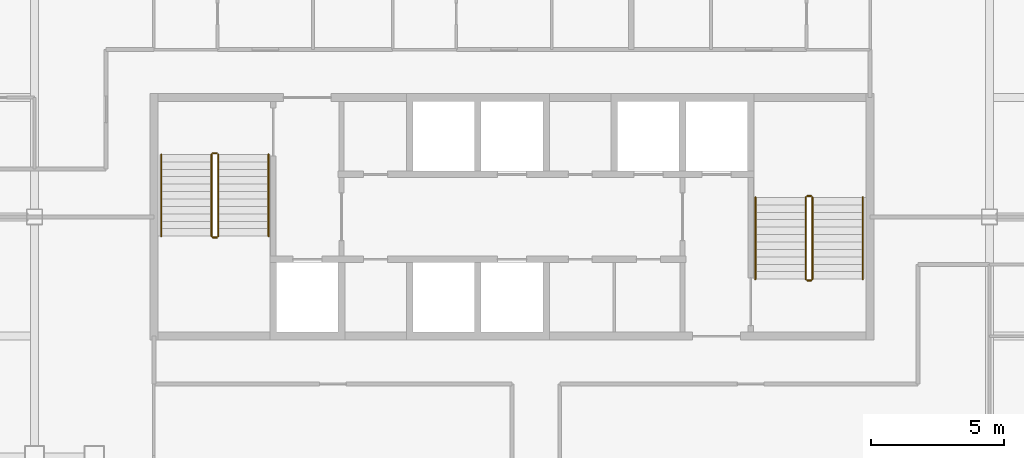
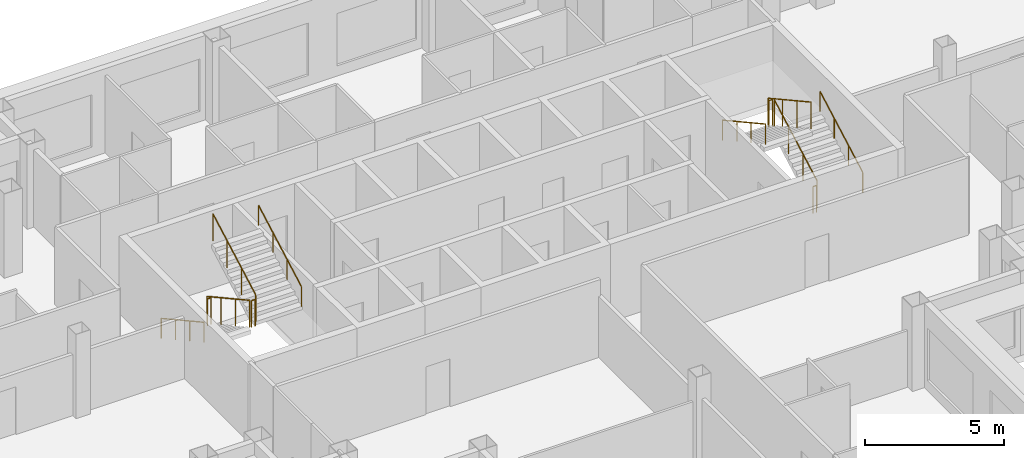
# One storey, part 13 of 13: 12 railings.
"""IFC4 building model written with IfcOpenShell, lengths in metres."""

from ifc_helpers import new_model, si_unit, direction, frame, origin, origin_2d, place, context, subcontext, project, spatial, circle, extrude, material, type_object, element, save


model = new_model("IFC4")

# Units and contexts
model_context = context("Model", 3, precision=1e-05, world=origin(), true_north=direction((0.0, 1.0)))
body_context = subcontext(model_context, "Body", "Model", "MODEL_VIEW")
ifc_project = project(units=[si_unit("LENGTHUNIT", "METRE"), si_unit("AREAUNIT", "SQUARE_METRE"), si_unit("VOLUMEUNIT", "CUBIC_METRE"), si_unit("PLANEANGLEUNIT", "RADIAN"), si_unit("MASSUNIT", "GRAM", prefix="KILO")], contexts=[model_context])

# Site, building, storey
site_placement = place(None, origin())
site = spatial("IfcSite", under=ifc_project, at=site_placement, CompositionType="ELEMENT")
building_placement = place(site_placement, origin())
building = spatial("IfcBuilding", under=site, at=building_placement, Name="Caravel Reach Hotel and Residences", CompositionType="ELEMENT")
storey_placement = place(building_placement, frame((0.0, 0.0, 180.199951171875)))
storey = spatial("IfcBuildingStorey", under=building, at=storey_placement, Name="L45", CompositionType="ELEMENT", Elevation=180.199951171875)

# Railings
ifc_material_1 = material(Name="Steel balustrade with glass infill", Category="steel")
railing_type_1 = type_object("IfcRailingType", Name="Guard 1200", PredefinedType="GUARDRAIL", material=ifc_material_1)
railing_1_placement = place(storey_placement, frame((20.175048828125, 29.35009765625, 0.154296875)))
element("IfcRailing", 1, at=railing_1_placement, inside=storey, type_object=railing_type_1, Name="L45 ST-A stair guard 1", PredefinedType="GUARDRAIL", context=body_context, shape_type="SweptSolid", body=[
    extrude(circle(Radius=0.02392578125, at=origin_2d()), frame((0.0, 0.0, 1.17578125), z_axis=(0.0, -0.876004717809, 0.482302534076), x_axis=(1.0, 0.0, 0.0)), (0.0, 0.0, 1.0), 3.51611328125),
    extrude(circle(Radius=0.02099609375, at=origin_2d()), origin(), (0.0, 0.0, 1.0), 1.15185546875),
    extrude(circle(Radius=0.02099609375, at=origin_2d()), frame((0.0, -1.026611328125, 0.565185546875)), (0.0, 0.0, 1.0), 1.15185546875),
    extrude(circle(Radius=0.02099609375, at=origin_2d()), frame((0.0, -2.053466796875, 1.130615234375)), (0.0, 0.0, 1.0), 1.15185546875),
    extrude(circle(Radius=0.02099609375, at=origin_2d()), frame((0.0, -3.080078125, 1.69580078125)), (0.0, 0.0, 1.0), 1.15185546875),
])
railing_2_placement = place(storey_placement, frame((20.22509765625, 26.219970703125, 1.85009765625)))
element("IfcRailing", 2, at=railing_2_placement, inside=storey, type_object=railing_type_1, Name="L45 ST-A stair guard 2", PredefinedType="GUARDRAIL", context=body_context, shape_type="SweptSolid", body=[
    extrude(circle(Radius=0.02392578125, at=origin_2d()), frame((0.0, 0.0, 1.17578125), z_axis=(1.0, 0.0, 0.0), x_axis=(0.0, 1.0, 0.0)), (0.0, 0.0, 1.0), 0.14990234375),
    extrude(circle(Radius=0.02099609375, at=origin_2d()), origin(), (0.0, 0.0, 1.0), 1.15185546875),
    extrude(circle(Radius=0.02099609375, at=origin_2d()), frame((0.14990234375, 0.0, 0.0)), (0.0, 0.0, 1.0), 1.15185546875),
])
railing_3_placement = place(storey_placement, frame((20.425048828125, 26.27001953125, 2.004150390625)))
element("IfcRailing", 3, at=railing_3_placement, inside=storey, type_object=railing_type_1, Name="L45 ST-A stair guard 3", PredefinedType="GUARDRAIL", context=body_context, shape_type="SweptSolid", body=[
    extrude(circle(Radius=0.02392578125, at=origin_2d()), frame((0.0, 0.0, 1.17578125), z_axis=(0.0, 0.876004717809, 0.482302534076), x_axis=(-1.0, 0.0, 0.0)), (0.0, 0.0, 1.0), 3.51611328125),
    extrude(circle(Radius=0.02099609375, at=origin_2d()), origin(), (0.0, 0.0, 1.0), 1.15185546875),
    extrude(circle(Radius=0.02099609375, at=origin_2d()), frame((0.0, 1.026611328125, 0.565185546875)), (0.0, 0.0, 1.0), 1.15185546875),
    extrude(circle(Radius=0.02099609375, at=origin_2d()), frame((0.0, 2.053466796875, 1.130615234375)), (0.0, 0.0, 1.0), 1.15185546875),
    extrude(circle(Radius=0.02099609375, at=origin_2d()), frame((0.0, 3.080078125, 1.69580078125)), (0.0, 0.0, 1.0), 1.15185546875),
])
railing_4_placement = place(storey_placement, frame((20.22509765625, 29.39990234375, 0.0)))
element("IfcRailing", 4, at=railing_4_placement, inside=storey, type_object=railing_type_1, Name="L45 ST-A stair guard 4", PredefinedType="GUARDRAIL", context=body_context, shape_type="SweptSolid", body=[
    extrude(circle(Radius=0.02392578125, at=origin_2d()), frame((0.0, 0.0, 1.17578125), z_axis=(1.0, 0.0, 0.0), x_axis=(0.0, 1.0, 0.0)), (0.0, 0.0, 1.0), 0.14990234375),
    extrude(circle(Radius=0.02099609375, at=origin_2d()), origin(), (0.0, 0.0, 1.0), 1.15185546875),
    extrude(circle(Radius=0.02099609375, at=origin_2d()), frame((0.14990234375, 0.0, 0.0)), (0.0, 0.0, 1.0), 1.15185546875),
])
railing_5_placement = place(storey_placement, frame((42.824951171875, 24.64990234375, 0.154296875)))
element("IfcRailing", 5, at=railing_5_placement, inside=storey, type_object=railing_type_1, Name="L45 ST-B stair guard 1", PredefinedType="GUARDRAIL", context=body_context, shape_type="SweptSolid", body=[
    extrude(circle(Radius=0.02392578125, at=origin_2d()), frame((0.0, 0.0, 1.17578125), z_axis=(0.0, 0.876004717809, 0.482302534076), x_axis=(-1.0, 0.0, 0.0)), (0.0, 0.0, 1.0), 3.51611328125),
    extrude(circle(Radius=0.02099609375, at=origin_2d()), origin(), (0.0, 0.0, 1.0), 1.15185546875),
    extrude(circle(Radius=0.02099609375, at=origin_2d()), frame((0.0, 1.026611328125, 0.565185546875)), (0.0, 0.0, 1.0), 1.15185546875),
    extrude(circle(Radius=0.02099609375, at=origin_2d()), frame((0.0, 2.053466796875, 1.130615234375)), (0.0, 0.0, 1.0), 1.15185546875),
    extrude(circle(Radius=0.02099609375, at=origin_2d()), frame((0.0, 3.080078125, 1.69580078125)), (0.0, 0.0, 1.0), 1.15185546875),
])
railing_6_placement = place(storey_placement, frame((42.77490234375, 27.780029296875, 1.85009765625)))
element("IfcRailing", 6, at=railing_6_placement, inside=storey, type_object=railing_type_1, Name="L45 ST-B stair guard 2", PredefinedType="GUARDRAIL", context=body_context, shape_type="SweptSolid", body=[
    extrude(circle(Radius=0.02392578125, at=origin_2d()), frame((0.0, 0.0, 1.17578125), z_axis=(-1.0, 0.0, 0.0), x_axis=(0.0, -1.0, 0.0)), (0.0, 0.0, 1.0), 0.14990234375),
    extrude(circle(Radius=0.02099609375, at=origin_2d()), origin(), (0.0, 0.0, 1.0), 1.15185546875),
    extrude(circle(Radius=0.02099609375, at=origin_2d()), frame((-0.14990234375, 0.0, 0.0)), (0.0, 0.0, 1.0), 1.15185546875),
])
railing_7_placement = place(storey_placement, frame((42.574951171875, 27.72998046875, 2.004150390625)))
element("IfcRailing", 7, at=railing_7_placement, inside=storey, type_object=railing_type_1, Name="L45 ST-B stair guard 3", PredefinedType="GUARDRAIL", context=body_context, shape_type="SweptSolid", body=[
    extrude(circle(Radius=0.02392578125, at=origin_2d()), frame((0.0, 0.0, 1.17578125), z_axis=(0.0, -0.876004717809, 0.482302534076), x_axis=(1.0, 0.0, 0.0)), (0.0, 0.0, 1.0), 3.51611328125),
    extrude(circle(Radius=0.02099609375, at=origin_2d()), origin(), (0.0, 0.0, 1.0), 1.15185546875),
    extrude(circle(Radius=0.02099609375, at=origin_2d()), frame((0.0, -1.026611328125, 0.565185546875)), (0.0, 0.0, 1.0), 1.15185546875),
    extrude(circle(Radius=0.02099609375, at=origin_2d()), frame((0.0, -2.053466796875, 1.130615234375)), (0.0, 0.0, 1.0), 1.15185546875),
    extrude(circle(Radius=0.02099609375, at=origin_2d()), frame((0.0, -3.080078125, 1.69580078125)), (0.0, 0.0, 1.0), 1.15185546875),
])
railing_8_placement = place(storey_placement, frame((42.77490234375, 24.60009765625, 0.0)))
element("IfcRailing", 8, at=railing_8_placement, inside=storey, type_object=railing_type_1, Name="L45 ST-B stair guard 4", PredefinedType="GUARDRAIL", context=body_context, shape_type="SweptSolid", body=[
    extrude(circle(Radius=0.02392578125, at=origin_2d()), frame((0.0, 0.0, 1.17578125), z_axis=(-1.0, 0.0, 0.0), x_axis=(0.0, -1.0, 0.0)), (0.0, 0.0, 1.0), 0.14990234375),
    extrude(circle(Radius=0.02099609375, at=origin_2d()), origin(), (0.0, 0.0, 1.0), 1.15185546875),
    extrude(circle(Radius=0.02099609375, at=origin_2d()), frame((-0.14990234375, 0.0, 0.0)), (0.0, 0.0, 1.0), 1.15185546875),
])
ifc_material_2 = material(Name="Stainless steel handrail", Category="steel")
railing_type_2 = type_object("IfcRailingType", Name="Handrail 900", PredefinedType="HANDRAIL", material=ifc_material_2)
railing_9_placement = place(storey_placement, frame((18.27490234375, 29.35009765625, 0.154296875)))
element("IfcRailing", 9, at=railing_9_placement, inside=storey, type_object=railing_type_2, Name="L45 ST-A stair handrail 1", PredefinedType="HANDRAIL", context=body_context, shape_type="SweptSolid", body=[
    extrude(circle(Radius=0.02392578125, at=origin_2d()), frame((0.0, 0.0, 0.8759765625), z_axis=(0.0, -0.876004717809, 0.482302534076), x_axis=(1.0, 0.0, 0.0)), (0.0, 0.0, 1.0), 3.51611328125),
    extrude(circle(Radius=0.02099609375, at=origin_2d()), origin(), (0.0, 0.0, 1.0), 0.851806640625),
    extrude(circle(Radius=0.02099609375, at=origin_2d()), frame((0.0, -1.026611328125, 0.565185546875)), (0.0, 0.0, 1.0), 0.851806640625),
    extrude(circle(Radius=0.02099609375, at=origin_2d()), frame((0.0, -2.053466796875, 1.130615234375)), (0.0, 0.0, 1.0), 0.851806640625),
    extrude(circle(Radius=0.02099609375, at=origin_2d()), frame((0.0, -3.080078125, 1.69580078125)), (0.0, 0.0, 1.0), 0.851806640625),
])
for number, where, name in (
    (10, (22.324951171875, 26.27001953125, 2.004150390625), "L45 ST-A stair handrail 2"),
    (11, (44.72509765625, 24.64990234375, 0.154296875), "L45 ST-B stair handrail 1"),
):
    element("IfcRailing", number, at=place(storey_placement, frame(where)), inside=storey, type_object=railing_type_2, Name=name, PredefinedType="HANDRAIL", context=body_context, shape_type="SweptSolid", body=[
        extrude(circle(Radius=0.02392578125, at=origin_2d()), frame((0.0, 0.0, 0.8759765625), z_axis=(0.0, 0.876004717809, 0.482302534076), x_axis=(-1.0, 0.0, 0.0)), (0.0, 0.0, 1.0), 3.51611328125),
        extrude(circle(Radius=0.02099609375, at=origin_2d()), origin(), (0.0, 0.0, 1.0), 0.851806640625),
        extrude(circle(Radius=0.02099609375, at=origin_2d()), frame((0.0, 1.026611328125, 0.565185546875)), (0.0, 0.0, 1.0), 0.851806640625),
        extrude(circle(Radius=0.02099609375, at=origin_2d()), frame((0.0, 2.053466796875, 1.130615234375)), (0.0, 0.0, 1.0), 0.851806640625),
        extrude(circle(Radius=0.02099609375, at=origin_2d()), frame((0.0, 3.080078125, 1.69580078125)), (0.0, 0.0, 1.0), 0.851806640625),
    ])
railing_10_placement = place(storey_placement, frame((40.675048828125, 27.72998046875, 2.004150390625)))
element("IfcRailing", 12, at=railing_10_placement, inside=storey, type_object=railing_type_2, Name="L45 ST-B stair handrail 2", PredefinedType="HANDRAIL", context=body_context, shape_type="SweptSolid", body=[
    extrude(circle(Radius=0.02392578125, at=origin_2d()), frame((0.0, 0.0, 0.8759765625), z_axis=(0.0, -0.876004717809, 0.482302534076), x_axis=(1.0, 0.0, 0.0)), (0.0, 0.0, 1.0), 3.51611328125),
    extrude(circle(Radius=0.02099609375, at=origin_2d()), origin(), (0.0, 0.0, 1.0), 0.851806640625),
    extrude(circle(Radius=0.02099609375, at=origin_2d()), frame((0.0, -1.026611328125, 0.565185546875)), (0.0, 0.0, 1.0), 0.851806640625),
    extrude(circle(Radius=0.02099609375, at=origin_2d()), frame((0.0, -2.053466796875, 1.130615234375)), (0.0, 0.0, 1.0), 0.851806640625),
    extrude(circle(Radius=0.02099609375, at=origin_2d()), frame((0.0, -3.080078125, 1.69580078125)), (0.0, 0.0, 1.0), 0.851806640625),
])

save(model, "model.ifc")
